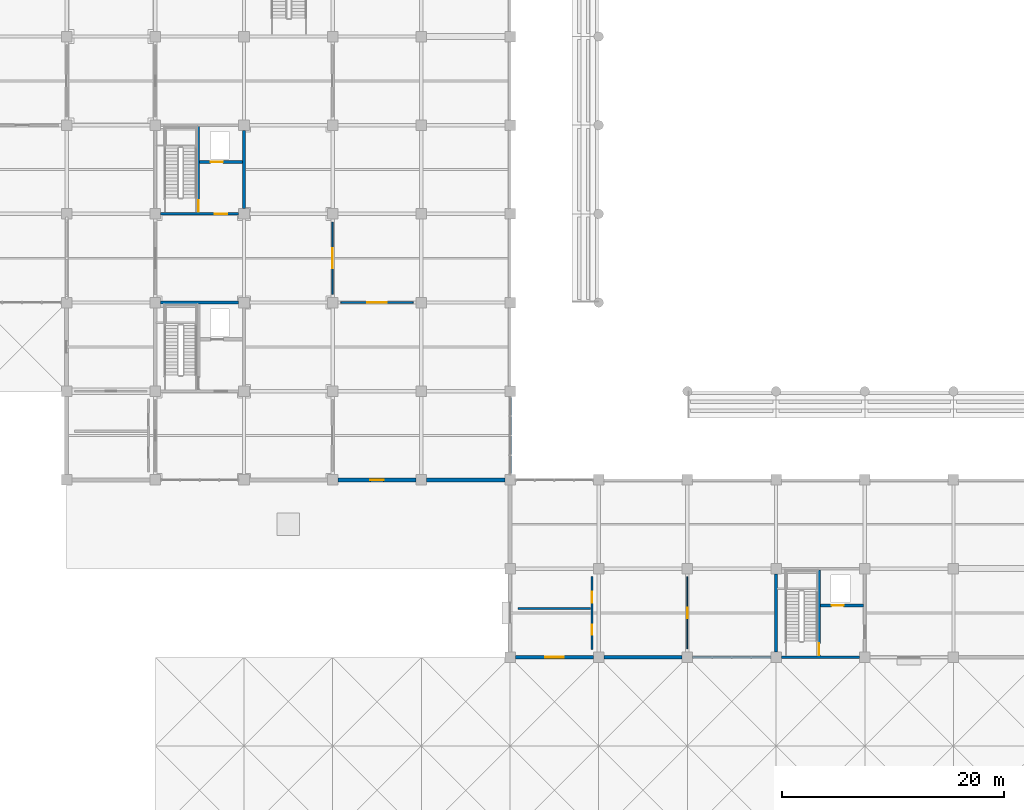
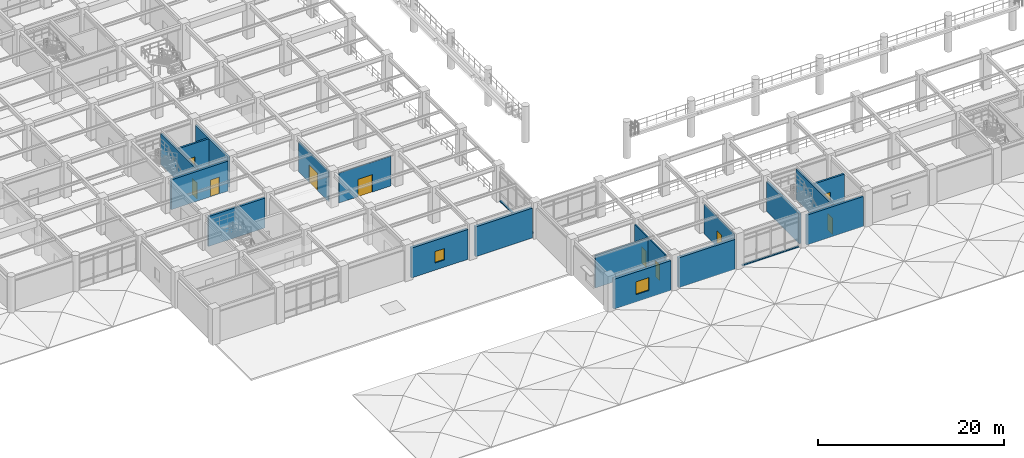
# One storey, part 69 of 109: 20 walls, 10 doors, 2 windows, 12 openings.
"""IFC4 building model written with IfcOpenShell, lengths in metres."""

from ifc_helpers import new_model, si_unit, direction, frame, frame_2d, origin, place, context, subcontext, project, spatial, rectangle, extrude, material, layer, layer_set, type_object, element, fill, save


model = new_model("IFC4")

# Units and contexts
model_context = context("Model", 3, precision=1e-05, world=origin(), true_north=direction((0.0, 1.0)))
body_context = subcontext(model_context, "Body", "Model", "MODEL_VIEW")
ifc_project = project(units=[si_unit("LENGTHUNIT", "METRE"), si_unit("AREAUNIT", "SQUARE_METRE"), si_unit("VOLUMEUNIT", "CUBIC_METRE"), si_unit("PLANEANGLEUNIT", "RADIAN"), si_unit("MASSUNIT", "GRAM", prefix="KILO")], contexts=[model_context])

# Site, building, storey
site_placement = place(None, origin())
site = spatial("IfcSite", under=ifc_project, at=site_placement, CompositionType="ELEMENT")
building_placement = place(site_placement, origin())
building = spatial("IfcBuilding", under=site, at=building_placement, Name="Haebicheon Civic Stadium", CompositionType="ELEMENT")
storey_placement = place(building_placement, frame((0.0, 0.0, 9.60009765625)))
storey = spatial("IfcBuildingStorey", under=building, at=storey_placement, Name="L03", CompositionType="ELEMENT", Elevation=9.60009765625)

# Wall
ifc_material_1 = material(Name="Concrete C40/50", Category="concrete")
ifc_layer_1 = layer(ifc_material_1, 0.239990234375, Name="Concrete C40/50")
ifc_layer_set_1 = layer_set([ifc_layer_1], Name="Concrete C40/50")
wall_type_1 = type_object("IfcWallType", Name="CW-SHR-240", PredefinedType="SHEAR", material=ifc_layer_set_1)
wall_1_placement = place(storey_placement, frame((32.47509765625, 48.0, 0.0), z_axis=(0.0, 0.0, 1.0), x_axis=(1.0, 0.0, 0.0)))
element("IfcWall", 1, at=wall_1_placement, inside=storey, type_object=wall_type_1, material=ifc_layer_set_1, Name="KC-01 L03 north core shear wall", PredefinedType="SHEAR", context=body_context, shape_type="SweptSolid", body=[
    extrude(rectangle(XDim=7.0498046875, YDim=0.239990234375, at=frame_2d((3.52490234375, 0.0))), origin(), (0.0, 0.0, 1.0), 3.929931640625),
])

# Wall, opening, door
wall_2_placement = place(storey_placement, frame((32.47509765625, 56.0, 0.0), z_axis=(0.0, 0.0, 1.0), x_axis=(1.0, 0.0, 0.0)))
wall_2 = element("IfcWall", 2, at=wall_2_placement, inside=storey, type_object=wall_type_1, material=ifc_layer_set_1, Name="KC-02 L03 south core shear wall", PredefinedType="SHEAR", context=body_context, shape_type="SweptSolid", body=[
    extrude(rectangle(XDim=7.0498046875, YDim=0.239990234375, at=frame_2d((3.52490234375, 0.0))), origin(), (0.0, 0.0, 1.0), 3.929931640625),
])
opening_1_placement = place(wall_2_placement, frame((4.89990234375, 0.0, 0.0)))
opening_1 = element("IfcOpeningElement", 3, at=opening_1_placement, cuts=wall_2, Name="Opening D-L03-KC-02-LOB", PredefinedType="OPENING", context=body_context, shape_type="SweptSolid", body=[
    extrude(rectangle(XDim=1.10009765625, YDim=2.199951171875, at=frame_2d((0.550048828125, 1.10009765625))), frame((0.0, 0.1298828125, 0.0), z_axis=(0.0, -1.0, 0.0), x_axis=(1.0, 0.0, 0.0)), (0.0, 0.0, 1.0), 0.260009765625),
])
ifc_material_2 = material(Name="Galvanised painted steel SM355", Category="steel")
door_type_1 = type_object("IfcDoorType", Name="ID-FD-1100", OperationType="NOTDEFINED", PredefinedType="DOOR", material=ifc_material_2)
door_1_placement = place(opening_1_placement, origin())
door_1 = element("IfcDoor", 4, at=door_1_placement, inside=storey, type_object=door_type_1, material=ifc_material_2, Name="L03 KC-02 lobby fire door", OperationType="SINGLE_SWING_RIGHT", OverallHeight=2.199951171875, OverallWidth=1.10009765625, PredefinedType="DOOR", context=body_context, shape_type="SweptSolid", body=[
    extrude(rectangle(XDim=1.10009765625, YDim=2.199951171875, at=frame_2d((0.550048828125, 1.10009765625))), frame((0.0, 0.02490234375, 0.0), z_axis=(0.0, -1.0, 0.0), x_axis=(1.0, 0.0, 0.0)), (0.0, 0.0, 1.0), 0.050048828125),
])
fill(opening_1, door_1)

# Wall
wall_3_placement = place(storey_placement, frame((40.0, 56.47509765625, 0.0), z_axis=(0.0, 0.0, 1.0), x_axis=(0.0, 1.0, 0.0)))
element("IfcWall", 5, at=wall_3_placement, inside=storey, type_object=wall_type_1, material=ifc_layer_set_1, Name="KC-02 L03 east core shear wall", PredefinedType="SHEAR", context=body_context, shape_type="SweptSolid", body=[
    extrude(rectangle(XDim=7.0498046875, YDim=0.239990234375, at=frame_2d((3.52490234375, 0.0))), origin(), (0.0, 0.0, 1.0), 3.929931640625),
])

# Wall, opening, door
wall_4_placement = place(storey_placement, frame((35.8798828125, 56.1201171875, 0.0), z_axis=(0.0, 0.0, 1.0), x_axis=(0.0, 1.0, 0.0)))
wall_4 = element("IfcWall", 6, at=wall_4_placement, inside=storey, type_object=wall_type_1, material=ifc_layer_set_1, Name="KC-02 L03 stair-lobby dividing shear wall", PredefinedType="SHEAR", context=body_context, shape_type="SweptSolid", body=[
    extrude(rectangle(XDim=7.759765625, YDim=0.239990234375, at=frame_2d((3.8798828125, 0.0))), origin(), (0.0, 0.0, 1.0), 4.02978515625),
])
opening_2_placement = place(wall_4_placement, frame((0.080078125, 0.0, 0.0)))
opening_2 = element("IfcOpeningElement", 7, at=opening_2_placement, cuts=wall_4, Name="Opening D-L03-KC-02-STR", PredefinedType="OPENING", context=body_context, shape_type="SweptSolid", body=[
    extrude(rectangle(XDim=1.050048828125, YDim=2.14990234375, at=frame_2d((0.52490234375, 1.074951171875))), frame((0.0, 0.1298828125, 0.0), z_axis=(0.0, -1.0, 0.0), x_axis=(1.0, 0.0, 0.0)), (0.0, 0.0, 1.0), 0.260009765625),
])
ifc_material_3 = material(Name="Galvanised painted steel SM355", Category="steel")
door_type_2 = type_object("IfcDoorType", Name="ID-FD-1050", OperationType="NOTDEFINED", PredefinedType="DOOR", material=ifc_material_3)
door_2_placement = place(opening_2_placement, origin())
door_2 = element("IfcDoor", 8, at=door_2_placement, inside=storey, type_object=door_type_2, material=ifc_material_3, Name="L03 ST-02 stairwell escape door", OperationType="SINGLE_SWING_LEFT", OverallHeight=2.14990234375, OverallWidth=1.050048828125, PredefinedType="DOOR", context=body_context, shape_type="SweptSolid", body=[
    extrude(rectangle(XDim=1.050048828125, YDim=2.14990234375, at=frame_2d((0.52490234375, 1.074951171875))), frame((0.0, 0.02490234375, 0.0), z_axis=(0.0, -1.0, 0.0), x_axis=(1.0, 0.0, 0.0)), (0.0, 0.0, 1.0), 0.050048828125),
])
fill(opening_2, door_2)

wall_5_placement = place(storey_placement, frame((36.0, 60.679931640625, 0.0), z_axis=(0.0, 0.0, 1.0), x_axis=(1.0, 0.0, 0.0)))
wall_5 = element("IfcWall", 9, at=wall_5_placement, inside=storey, type_object=wall_type_1, material=ifc_layer_set_1, Name="KC-02 L03 lift shaft front wall", PredefinedType="SHEAR", context=body_context, shape_type="SweptSolid", body=[
    extrude(rectangle(XDim=3.8798828125, YDim=0.239990234375, at=frame_2d((1.93994140625, 0.0))), origin(), (0.0, 0.0, 1.0), 3.929931640625),
])
opening_3_placement = place(wall_5_placement, frame((1.0, 0.0, 0.0)))
opening_3 = element("IfcOpeningElement", 10, at=opening_3_placement, cuts=wall_5, Name="Opening LD-02-L03", PredefinedType="OPENING", context=body_context, shape_type="SweptSolid", body=[
    extrude(rectangle(XDim=1.10009765625, YDim=2.14990234375, at=frame_2d((0.550048828125, 1.074951171875))), frame((0.0, 0.1298828125, 0.0), z_axis=(0.0, -1.0, 0.0), x_axis=(1.0, 0.0, 0.0)), (0.0, 0.0, 1.0), 0.260009765625),
])
ifc_material_4 = material(Name="Stainless steel 316", Category="steel")
door_type_3 = type_object("IfcDoorType", Name="ID-LD-1100", OperationType="NOTDEFINED", PredefinedType="DOOR", material=ifc_material_4)
door_3_placement = place(opening_3_placement, origin())
door_3 = element("IfcDoor", 11, at=door_3_placement, inside=storey, type_object=door_type_3, material=ifc_material_4, Name="LF-02 lift landing sliding door L03", OperationType="SLIDING_TO_LEFT", OverallHeight=2.14990234375, OverallWidth=1.10009765625, PredefinedType="DOOR", context=body_context, shape_type="SweptSolid", body=[
    extrude(rectangle(XDim=1.10009765625, YDim=2.14990234375, at=frame_2d((0.550048828125, 1.074951171875))), frame((0.0, 0.02490234375, 0.0), z_axis=(0.0, -1.0, 0.0), x_axis=(1.0, 0.0, 0.0)), (0.0, 0.0, 1.0), 0.050048828125),
])
fill(opening_3, door_3)

# Walls
for number, where, z_axis, x_axis, name in (
    (12, (88.47509765625, 16.0, 0.0), (0.0, 0.0, 1.0), (1.0, 0.0, 0.0), "KC-06 L03 south core shear wall"),
    (13, (88.0, 16.47509765625, 0.0), (0.0, 0.0, 1.0), (0.0, 1.0, 0.0), "KC-06 L03 west core shear wall"),
):
    element("IfcWall", number, at=place(storey_placement, frame(where, z_axis=z_axis, x_axis=x_axis)), inside=storey, type_object=wall_type_1, material=ifc_layer_set_1, Name=name, PredefinedType="SHEAR", context=body_context, shape_type="SweptSolid", body=[
        extrude(rectangle(XDim=7.0498046875, YDim=0.239990234375, at=frame_2d((3.52490234375, 0.0))), origin(), (0.0, 0.0, 1.0), 3.929931640625),
    ])

# Wall, opening, door
wall_6_placement = place(storey_placement, frame((91.8798828125, 16.1201171875, 0.0), z_axis=(0.0, 0.0, 1.0), x_axis=(0.0, 1.0, 0.0)))
wall_6 = element("IfcWall", 14, at=wall_6_placement, inside=storey, type_object=wall_type_1, material=ifc_layer_set_1, Name="KC-06 L03 stair-lobby dividing shear wall", PredefinedType="SHEAR", context=body_context, shape_type="SweptSolid", body=[
    extrude(rectangle(XDim=7.759765625, YDim=0.239990234375, at=frame_2d((3.8798828125, 0.0))), origin(), (0.0, 0.0, 1.0), 4.02978515625),
])
opening_4_placement = place(wall_6_placement, frame((0.080078125, 0.0, 0.0)))
opening_4 = element("IfcOpeningElement", 15, at=opening_4_placement, cuts=wall_6, Name="Opening D-L03-KC-06-STR", PredefinedType="OPENING", context=body_context, shape_type="SweptSolid", body=[
    extrude(rectangle(XDim=1.050048828125, YDim=2.14990234375, at=frame_2d((0.52490234375, 1.074951171875))), frame((0.0, 0.1298828125, 0.0), z_axis=(0.0, -1.0, 0.0), x_axis=(1.0, 0.0, 0.0)), (0.0, 0.0, 1.0), 0.260009765625),
])
door_4_placement = place(opening_4_placement, origin())
door_4 = element("IfcDoor", 16, at=door_4_placement, inside=storey, type_object=door_type_2, material=ifc_material_3, Name="L03 ST-06 stairwell escape door", OperationType="SINGLE_SWING_RIGHT", OverallHeight=2.14990234375, OverallWidth=1.050048828125, PredefinedType="DOOR", context=body_context, shape_type="SweptSolid", body=[
    extrude(rectangle(XDim=1.050048828125, YDim=2.14990234375, at=frame_2d((0.52490234375, 1.074951171875))), frame((0.0, 0.02490234375, 0.0), z_axis=(0.0, -1.0, 0.0), x_axis=(1.0, 0.0, 0.0)), (0.0, 0.0, 1.0), 0.050048828125),
])
fill(opening_4, door_4)

wall_7_placement = place(storey_placement, frame((92.0, 20.679931640625, 0.0), z_axis=(0.0, 0.0, 1.0), x_axis=(1.0, 0.0, 0.0)))
wall_7 = element("IfcWall", 17, at=wall_7_placement, inside=storey, type_object=wall_type_1, material=ifc_layer_set_1, Name="KC-06 L03 lift shaft front wall", PredefinedType="SHEAR", context=body_context, shape_type="SweptSolid", body=[
    extrude(rectangle(XDim=3.8798828125, YDim=0.239990234375, at=frame_2d((1.93994140625, 0.0))), origin(), (0.0, 0.0, 1.0), 3.929931640625),
])
opening_5_placement = place(wall_7_placement, frame((1.0, 0.0, 0.0)))
opening_5 = element("IfcOpeningElement", 18, at=opening_5_placement, cuts=wall_7, Name="Opening LD-05-L03", PredefinedType="OPENING", context=body_context, shape_type="SweptSolid", body=[
    extrude(rectangle(XDim=1.10009765625, YDim=2.14990234375, at=frame_2d((0.550048828125, 1.074951171875))), frame((0.0, 0.1298828125, 0.0), z_axis=(0.0, -1.0, 0.0), x_axis=(1.0, 0.0, 0.0)), (0.0, 0.0, 1.0), 0.260009765625),
])
door_5_placement = place(opening_5_placement, origin())
door_5 = element("IfcDoor", 19, at=door_5_placement, inside=storey, type_object=door_type_3, material=ifc_material_4, Name="LF-05 lift landing sliding door L03", OperationType="SLIDING_TO_LEFT", OverallHeight=2.14990234375, OverallWidth=1.10009765625, PredefinedType="DOOR", context=body_context, shape_type="SweptSolid", body=[
    extrude(rectangle(XDim=1.10009765625, YDim=2.14990234375, at=frame_2d((0.550048828125, 1.074951171875))), frame((0.0, 0.02490234375, 0.0), z_axis=(0.0, -1.0, 0.0), x_axis=(1.0, 0.0, 0.0)), (0.0, 0.0, 1.0), 0.050048828125),
])
fill(opening_5, door_5)

# Wall, opening, window
ifc_material_5 = material(Name="Concrete C40/50", Category="concrete")
ifc_layer_2 = layer(ifc_material_5, 0.35009765625, Name="Concrete C40/50")
ifc_layer_set_2 = layer_set([ifc_layer_2], Name="Concrete C40/50")
wall_type_2 = type_object("IfcWallType", Name="EW-BM-350", PredefinedType="SOLIDWALL", material=ifc_layer_set_2)
wall_8_placement = place(storey_placement, frame((48.47509765625, 32.0, 0.0), z_axis=(0.0, 0.0, 1.0), x_axis=(1.0, 0.0, 0.0)))
wall_8 = element("IfcWall", 20, at=wall_8_placement, inside=storey, type_object=wall_type_2, material=ifc_layer_set_2, Name="L03 board-marked concrete facade wall 06-04-S", PredefinedType="SOLIDWALL", context=body_context, shape_type="SweptSolid", body=[
    extrude(rectangle(XDim=7.0498046875, YDim=0.35009765625, at=frame_2d((3.52490234375, 0.0))), origin(), (0.0, 0.0, 1.0), 3.929931640625),
])
opening_6_placement = place(wall_8_placement, frame((2.925048828125, 0.0, 0.949951171875)))
opening_6 = element("IfcOpeningElement", 21, at=opening_6_placement, cuts=wall_8, Name="Opening WIN-120x150", PredefinedType="OPENING", context=body_context, shape_type="SweptSolid", body=[
    extrude(rectangle(XDim=1.199951171875, YDim=1.5, at=frame_2d((0.60009765625, 0.75))), frame((0.0, 0.18505859375, 0.0), z_axis=(0.0, -1.0, 0.0), x_axis=(1.0, 0.0, 0.0)), (0.0, 0.0, 1.0), 0.3701171875),
])
ifc_material_6 = material(Name="Anodised aluminium and laminated glass", Category="aluminium")
window_type_1 = type_object("IfcWindowType", Name="WIN-120x150", PartitioningType="SINGLE_PANEL", PredefinedType="WINDOW", material=ifc_material_6)
window_1_placement = place(opening_6_placement, origin())
window_1 = element("IfcWindow", 22, at=window_1_placement, inside=storey, type_object=window_type_1, material=ifc_material_6, Name="L03 facade window 069", OverallHeight=1.5, OverallWidth=1.199951171875, PartitioningType="SINGLE_PANEL", PredefinedType="WINDOW", context=body_context, shape_type="SweptSolid", body=[
    extrude(rectangle(XDim=1.199951171875, YDim=1.5, at=frame_2d((0.60009765625, 0.75))), frame((0.0, 0.030029296875, 0.0), z_axis=(0.0, -1.0, 0.0), x_axis=(1.0, 0.0, 0.0)), (0.0, 0.0, 1.0), 0.06005859375),
])
fill(opening_6, window_1)

# Wall
wall_9_placement = place(storey_placement, frame((56.47509765625, 32.0, 0.0), z_axis=(0.0, 0.0, 1.0), x_axis=(1.0, 0.0, 0.0)))
element("IfcWall", 23, at=wall_9_placement, inside=storey, type_object=wall_type_2, material=ifc_layer_set_2, Name="L03 board-marked concrete facade wall 07-04-S", PredefinedType="SOLIDWALL", context=body_context, shape_type="SweptSolid", body=[
    extrude(rectangle(XDim=7.0498046875, YDim=0.35009765625, at=frame_2d((3.52490234375, 0.0))), origin(), (0.0, 0.0, 1.0), 3.929931640625),
])

# Wall, opening, window
wall_10_placement = place(storey_placement, frame((64.47509765625, 16.0, 0.0), z_axis=(0.0, 0.0, 1.0), x_axis=(1.0, 0.0, 0.0)))
wall_10 = element("IfcWall", 24, at=wall_10_placement, inside=storey, type_object=wall_type_2, material=ifc_layer_set_2, Name="L03 board-marked concrete facade wall 08-02-S", PredefinedType="SOLIDWALL", context=body_context, shape_type="SweptSolid", body=[
    extrude(rectangle(XDim=7.0498046875, YDim=0.35009765625, at=frame_2d((3.52490234375, 0.0))), origin(), (0.0, 0.0, 1.0), 3.929931640625),
])
opening_7_placement = place(wall_10_placement, frame((2.699951171875, 0.0, 0.949951171875)))
opening_7 = element("IfcOpeningElement", 25, at=opening_7_placement, cuts=wall_10, Name="Opening WIN-165x170", PredefinedType="OPENING", context=body_context, shape_type="SweptSolid", body=[
    extrude(rectangle(XDim=1.64990234375, YDim=1.699951171875, at=frame_2d((0.824951171875, 0.85009765625))), frame((0.0, 0.18505859375, 0.0), z_axis=(0.0, -1.0, 0.0), x_axis=(1.0, 0.0, 0.0)), (0.0, 0.0, 1.0), 0.3701171875),
])
ifc_material_7 = material(Name="Anodised aluminium and laminated glass", Category="aluminium")
window_type_2 = type_object("IfcWindowType", Name="WIN-165x170", PartitioningType="SINGLE_PANEL", PredefinedType="WINDOW", material=ifc_material_7)
window_2_placement = place(opening_7_placement, origin())
window_2 = element("IfcWindow", 26, at=window_2_placement, inside=storey, type_object=window_type_2, material=ifc_material_7, Name="L03 facade window 072", OverallHeight=1.699951171875, OverallWidth=1.64990234375, PartitioningType="SINGLE_PANEL", PredefinedType="WINDOW", context=body_context, shape_type="SweptSolid", body=[
    extrude(rectangle(XDim=1.64990234375, YDim=1.699951171875, at=frame_2d((0.824951171875, 0.85009765625))), frame((0.0, 0.030029296875, 0.0), z_axis=(0.0, -1.0, 0.0), x_axis=(1.0, 0.0, 0.0)), (0.0, 0.0, 1.0), 0.06005859375),
])
fill(opening_7, window_2)

# Walls
wall_11_placement = place(storey_placement, frame((72.47509765625, 16.0, 0.0), z_axis=(0.0, 0.0, 1.0), x_axis=(1.0, 0.0, 0.0)))
element("IfcWall", 27, at=wall_11_placement, inside=storey, type_object=wall_type_2, material=ifc_layer_set_2, Name="L03 board-marked concrete facade wall 09-02-S", PredefinedType="SOLIDWALL", context=body_context, shape_type="SweptSolid", body=[
    extrude(rectangle(XDim=7.0498046875, YDim=0.35009765625, at=frame_2d((3.52490234375, 0.0))), origin(), (0.0, 0.0, 1.0), 3.929931640625),
])
ifc_material_8 = material(Name="Precast concrete C40/50", Category="concrete")
ifc_layer_3 = layer(ifc_material_8, 0.219970703125, Name="Precast concrete C40/50")
ifc_layer_set_3 = layer_set([ifc_layer_3], Name="Precast concrete C40/50")
wall_type_3 = type_object("IfcWallType", Name="EW-PAR-220", PredefinedType="PARAPET", material=ifc_layer_set_3)
for number, where, z_axis, x_axis, name in (
    (28, (64.0, 32.47509765625, 0.0), (0.0, 0.0, 1.0), (0.0, 1.0, 0.0), "L03 curtain-wall concrete upstand kerb"),
    (29, (80.47509765625, 16.0, 0.0), (0.0, 0.0, 1.0), (1.0, 0.0, 0.0), "L03 curtain-wall concrete upstand kerb"),
):
    element("IfcWall", number, at=place(storey_placement, frame(where, z_axis=z_axis, x_axis=x_axis)), inside=storey, type_object=wall_type_3, material=ifc_layer_set_3, Name=name, PredefinedType="PARAPET", context=body_context, shape_type="SweptSolid", body=[
        extrude(rectangle(XDim=7.0498046875, YDim=0.219970703125, at=frame_2d((3.52490234375, 0.0))), origin(), (0.0, 0.0, 1.0), 0.159912109375),
    ])
ifc_material_9 = material(Name="Concrete C35/45", Category="concrete")
ifc_layer_4 = layer(ifc_material_9, 0.219970703125, Name="Concrete C35/45")
ifc_layer_set_4 = layer_set([ifc_layer_4], Name="Concrete C35/45")
wall_type_4 = type_object("IfcWallType", Name="IW-PLB-220", PredefinedType="PLUMBINGWALL", material=ifc_layer_set_4)
wall_12_placement = place(storey_placement, frame((64.719970703125, 20.39990234375, 0.0), z_axis=(0.0, 0.0, 1.0), x_axis=(1.0, 0.0, 0.0)))
element("IfcWall", 30, at=wall_12_placement, inside=storey, type_object=wall_type_4, material=ifc_layer_set_4, Name="L03 sanitary plumbing chase wall 11", PredefinedType="PLUMBINGWALL", context=body_context, shape_type="SweptSolid", body=[
    extrude(rectangle(XDim=6.56005859375, YDim=0.219970703125, at=frame_2d((3.280029296875, 0.0))), origin(), (0.0, 0.0, 1.0), 4.219970703125),
])

# Wall, opening, door
ifc_material_10 = material(Name="Anodised aluminium and laminated glass", Category="aluminium")
ifc_layer_5 = layer(ifc_material_10, 0.10009765625, Name="Anodised aluminium and laminated glass")
ifc_layer_set_5 = layer_set([ifc_layer_5], Name="Anodised aluminium and laminated glass")
wall_type_5 = type_object("IfcWallType", Name="IW-PRT-100", PredefinedType="PARTITIONING", material=ifc_layer_set_5)
wall_13_placement = place(storey_placement, frame((80.0, 16.75, 0.0), z_axis=(0.0, 0.0, 1.0), x_axis=(0.0, 1.0, 0.0)))
wall_13 = element("IfcWall", 31, at=wall_13_placement, inside=storey, type_object=wall_type_5, material=ifc_layer_set_5, Name="L03 Supporters' Terrace Lounge partition wall", PredefinedType="PARTITIONING", context=body_context, shape_type="SweptSolid", body=[
    extrude(rectangle(XDim=6.5, YDim=0.10009765625, at=frame_2d((3.25, 0.0))), origin(), (0.0, 0.0, 1.0), 3.929931640625),
])
opening_8_placement = place(wall_13_placement, frame((2.77490234375, 0.0, 0.0)))
opening_8 = element("IfcOpeningElement", 32, at=opening_8_placement, cuts=wall_13, Name="Opening D-L03-291", PredefinedType="OPENING", context=body_context, shape_type="SweptSolid", body=[
    extrude(rectangle(XDim=0.949951171875, YDim=2.10009765625, at=frame_2d((0.47509765625, 1.050048828125))), frame((0.0, 0.06005859375, 0.0), z_axis=(0.0, -1.0, 0.0), x_axis=(1.0, 0.0, 0.0)), (0.0, 0.0, 1.0), 0.1201171875),
])
ifc_material_11 = material(Name="Engineered hardwood timber", Category="wood")
door_type_4 = type_object("IfcDoorType", Name="ID-RM-0950", OperationType="NOTDEFINED", PredefinedType="DOOR", material=ifc_material_11)
door_6_placement = place(opening_8_placement, origin())
door_6 = element("IfcDoor", 33, at=door_6_placement, inside=storey, type_object=door_type_4, material=ifc_material_11, Name="L03 Supporters' Terrace Lounge entrance door D-L03-291", OperationType="SINGLE_SWING_LEFT", OverallHeight=2.10009765625, OverallWidth=0.949951171875, PredefinedType="DOOR", context=body_context, shape_type="SweptSolid", body=[
    extrude(rectangle(XDim=0.949951171875, YDim=2.10009765625, at=frame_2d((0.47509765625, 1.050048828125))), frame((0.0, 0.02490234375, 0.0), z_axis=(0.0, -1.0, 0.0), x_axis=(1.0, 0.0, 0.0)), (0.0, 0.0, 1.0), 0.050048828125),
])
fill(opening_8, door_6)

ifc_material_12 = material(Name="Gypsum plasterboard on steel studs", Category="gypsum")
ifc_layer_6 = layer(ifc_material_12, 0.14990234375, Name="Gypsum plasterboard on steel studs")
ifc_layer_set_6 = layer_set([ifc_layer_6], Name="Gypsum plasterboard on steel studs")
wall_type_6 = type_object("IfcWallType", Name="IW-PRT-150", PredefinedType="PARTITIONING", material=ifc_layer_set_6)
wall_14_placement = place(storey_placement, frame((48.0, 48.75, 0.0), z_axis=(0.0, 0.0, 1.0), x_axis=(0.0, 1.0, 0.0)))
wall_14 = element("IfcWall", 34, at=wall_14_placement, inside=storey, type_object=wall_type_6, material=ifc_layer_set_6, Name="L03 Club Dining Hall partition wall", PredefinedType="PARTITIONING", context=body_context, shape_type="SweptSolid", body=[
    extrude(rectangle(XDim=6.5, YDim=0.14990234375, at=frame_2d((3.25, 0.0))), origin(), (0.0, 0.0, 1.0), 3.929931640625),
])
opening_9_placement = place(wall_14_placement, frame((2.35009765625, 0.0, 0.0)))
opening_9 = element("IfcOpeningElement", 35, at=opening_9_placement, cuts=wall_14, Name="Opening D-L03-274", PredefinedType="OPENING", context=body_context, shape_type="SweptSolid", body=[
    extrude(rectangle(XDim=1.800048828125, YDim=2.300048828125, at=frame_2d((0.89990234375, 1.14990234375))), frame((0.0, 0.0849609375, 0.0), z_axis=(0.0, -1.0, 0.0), x_axis=(1.0, 0.0, 0.0)), (0.0, 0.0, 1.0), 0.169921875),
])
ifc_material_13 = material(Name="Galvanised painted steel SM355", Category="steel")
door_type_5 = type_object("IfcDoorType", Name="ID-DBL-1800", OperationType="NOTDEFINED", PredefinedType="DOOR", material=ifc_material_13)
door_7_placement = place(opening_9_placement, origin())
door_7 = element("IfcDoor", 36, at=door_7_placement, inside=storey, type_object=door_type_5, material=ifc_material_13, Name="L03 Club Dining Hall entrance door D-L03-274", OperationType="DOUBLE_SWING_LEFT", OverallHeight=2.300048828125, OverallWidth=1.800048828125, PredefinedType="DOOR", context=body_context, shape_type="SweptSolid", body=[
    extrude(rectangle(XDim=1.800048828125, YDim=2.300048828125, at=frame_2d((0.89990234375, 1.14990234375))), frame((0.0, 0.02490234375, 0.0), z_axis=(0.0, -1.0, 0.0), x_axis=(1.0, 0.0, 0.0)), (0.0, 0.0, 1.0), 0.050048828125),
])
fill(opening_9, door_7)

wall_15_placement = place(storey_placement, frame((48.75, 48.0, 0.0), z_axis=(0.0, 0.0, 1.0), x_axis=(1.0, 0.0, 0.0)))
wall_15 = element("IfcWall", 37, at=wall_15_placement, inside=storey, type_object=wall_type_6, material=ifc_layer_set_6, Name="L03 Club Dining Hall partition wall", PredefinedType="PARTITIONING", context=body_context, shape_type="SweptSolid", body=[
    extrude(rectangle(XDim=6.5, YDim=0.14990234375, at=frame_2d((3.25, 0.0))), origin(), (0.0, 0.0, 1.0), 3.929931640625),
])
opening_10_placement = place(wall_15_placement, frame((2.35009765625, 0.0, 0.0)))
opening_10 = element("IfcOpeningElement", 38, at=opening_10_placement, cuts=wall_15, Name="Opening D-L03-283", PredefinedType="OPENING", context=body_context, shape_type="SweptSolid", body=[
    extrude(rectangle(XDim=1.800048828125, YDim=2.300048828125, at=frame_2d((0.89990234375, 1.14990234375))), frame((0.0, 0.0849609375, 0.0), z_axis=(0.0, -1.0, 0.0), x_axis=(1.0, 0.0, 0.0)), (0.0, 0.0, 1.0), 0.169921875),
])
door_8_placement = place(opening_10_placement, origin())
door_8 = element("IfcDoor", 39, at=door_8_placement, inside=storey, type_object=door_type_5, material=ifc_material_13, Name="L03 Club Dining Hall entrance door D-L03-283", OperationType="DOUBLE_SWING_LEFT", OverallHeight=2.300048828125, OverallWidth=1.800048828125, PredefinedType="DOOR", context=body_context, shape_type="SweptSolid", body=[
    extrude(rectangle(XDim=1.800048828125, YDim=2.300048828125, at=frame_2d((0.89990234375, 1.14990234375))), frame((0.0, 0.02490234375, 0.0), z_axis=(0.0, -1.0, 0.0), x_axis=(1.0, 0.0, 0.0)), (0.0, 0.0, 1.0), 0.050048828125),
])
fill(opening_10, door_8)

# Wall, openings, doors
wall_16_placement = place(storey_placement, frame((71.39990234375, 16.719970703125, 0.0), z_axis=(0.0, 0.0, 1.0), x_axis=(0.0, 1.0, 0.0)))
wall_16 = element("IfcWall", 40, at=wall_16_placement, inside=storey, type_object=wall_type_6, material=ifc_layer_set_6, Name="L03 sanitary enclosure front wall 11", PredefinedType="PARTITIONING", context=body_context, shape_type="SweptSolid", body=[
    extrude(rectangle(XDim=6.56005859375, YDim=0.14990234375, at=frame_2d((3.280029296875, 0.0))), origin(), (0.0, 0.0, 1.0), 4.219970703125),
])
opening_11_placement = place(wall_16_placement, frame((1.300048828125, 0.0, 0.0)))
opening_11 = element("IfcOpeningElement", 41, at=opening_11_placement, cuts=wall_16, Name="Opening D-L03-WC-11A", PredefinedType="OPENING", context=body_context, shape_type="SweptSolid", body=[
    extrude(rectangle(XDim=0.89990234375, YDim=2.10009765625, at=frame_2d((0.449951171875, 1.050048828125))), frame((0.0, 0.0849609375, 0.0), z_axis=(0.0, -1.0, 0.0), x_axis=(1.0, 0.0, 0.0)), (0.0, 0.0, 1.0), 0.169921875),
])
opening_12_placement = place(wall_16_placement, frame((4.199951171875, 0.0, 0.0)))
opening_12 = element("IfcOpeningElement", 42, at=opening_12_placement, cuts=wall_16, Name="Opening D-L03-AWC-11B", PredefinedType="OPENING", context=body_context, shape_type="SweptSolid", body=[
    extrude(rectangle(XDim=1.0, YDim=2.14990234375, at=frame_2d((0.5, 1.074951171875))), frame((0.0, 0.0849609375, 0.0), z_axis=(0.0, -1.0, 0.0), x_axis=(1.0, 0.0, 0.0)), (0.0, 0.0, 1.0), 0.169921875),
])
ifc_material_14 = material(Name="Anodised aluminium 6063-T6", Category="aluminium")
door_type_6 = type_object("IfcDoorType", Name="ID-AWC-1000", OperationType="NOTDEFINED", PredefinedType="DOOR", material=ifc_material_14)
door_9_placement = place(opening_12_placement, origin())
door_9 = element("IfcDoor", 43, at=door_9_placement, inside=storey, type_object=door_type_6, material=ifc_material_14, Name="L03 accessible WC door 11", OperationType="SINGLE_SWING_LEFT", OverallHeight=2.14990234375, OverallWidth=1.0, PredefinedType="DOOR", context=body_context, shape_type="SweptSolid", body=[
    extrude(rectangle(XDim=1.0, YDim=2.14990234375, at=frame_2d((0.5, 1.074951171875))), frame((0.0, 0.02490234375, 0.0), z_axis=(0.0, -1.0, 0.0), x_axis=(1.0, 0.0, 0.0)), (0.0, 0.0, 1.0), 0.050048828125),
])
fill(opening_12, door_9)
ifc_material_15 = material(Name="Anodised aluminium 6063-T6", Category="aluminium")
door_type_7 = type_object("IfcDoorType", Name="ID-WC-0900", OperationType="NOTDEFINED", PredefinedType="DOOR", material=ifc_material_15)
door_10_placement = place(opening_11_placement, origin())
door_10 = element("IfcDoor", 44, at=door_10_placement, inside=storey, type_object=door_type_7, material=ifc_material_15, Name="L03 public restroom door 11", OperationType="SINGLE_SWING_RIGHT", OverallHeight=2.10009765625, OverallWidth=0.89990234375, PredefinedType="DOOR", context=body_context, shape_type="SweptSolid", body=[
    extrude(rectangle(XDim=0.89990234375, YDim=2.10009765625, at=frame_2d((0.449951171875, 1.050048828125))), frame((0.0, 0.02490234375, 0.0), z_axis=(0.0, -1.0, 0.0), x_axis=(1.0, 0.0, 0.0)), (0.0, 0.0, 1.0), 0.050048828125),
])
fill(opening_11, door_10)

save(model, "model.ifc")
